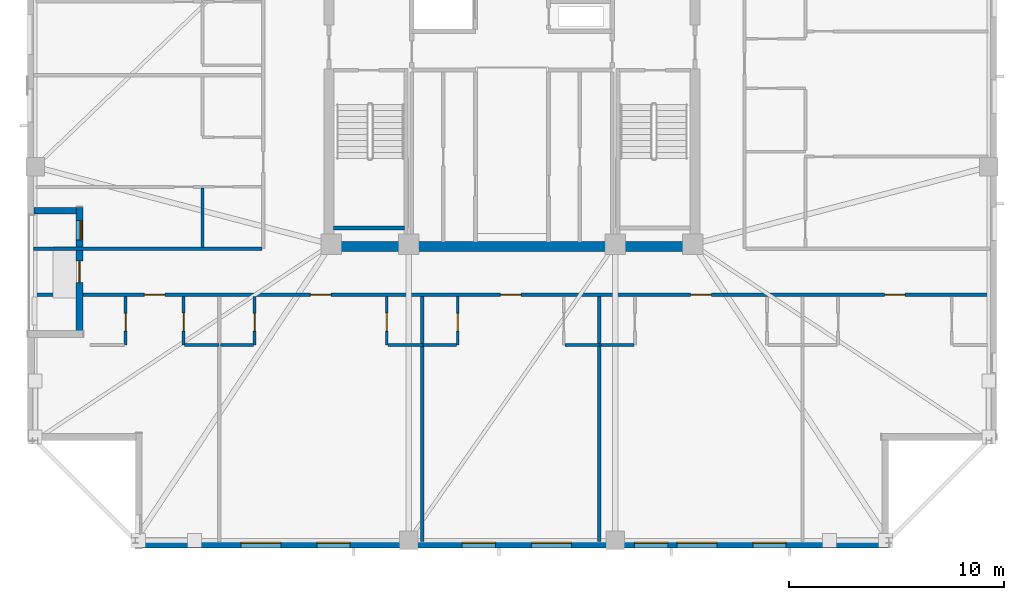
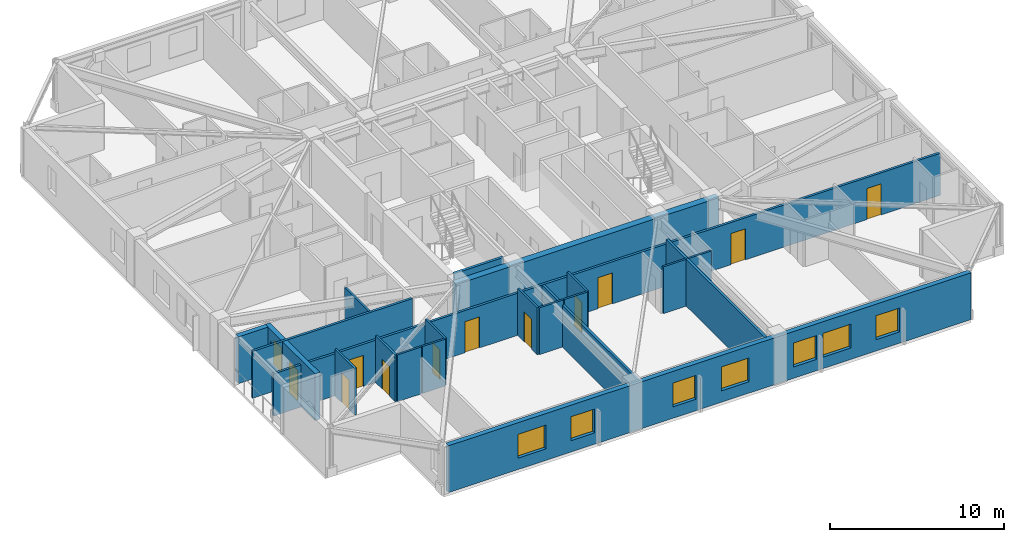
# One storey, part 7 of 17: 21 walls, 11 doors, 8 windows, 19 openings.
"""IFC4 building model written with IfcOpenShell, lengths in metres."""

import ifcopenshell
import ifcopenshell.guid

model = None  # the IFC model being written
_history = None  # IfcOwnerHistory: only IFC2X3 demands one
_inside = {}  # id of a spatial element -> (the spatial element, [elements in it])
_under = {}  # id of a project, library or spatial element -> (it, [spatial elements below it])
_declared = {}  # id of a project -> (the project, [libraries it declares])
_typed = {}  # id of a type object -> (the type object, [elements of that type])
_made_of = {}  # id of a material, layer set ... -> (it, [elements and type objects made of it])


def new_model(schema):
    """Start an empty IFC model of exactly this schema.

    Asked for "IFC4X3", IfcOpenShell would pick the latest addendum, in which some entities
    have other attributes; the version numbers below select the first issue.
    IFC2X3 requires an IfcOwnerHistory on every rooted entity: one is made here for all.
    """
    global model, _history
    if schema == "IFC4X3":
        model = ifcopenshell.file(schema_version=(4, 3, 0, 0))
    else:
        model = ifcopenshell.file(schema=schema)
    _inside.clear()
    _under.clear()
    _declared.clear()
    _typed.clear()
    _made_of.clear()
    _history = None
    if model.schema == "IFC2X3":
        org = make("IfcOrganization", Name="unknown")
        user = make(
            "IfcPersonAndOrganization",
            ThePerson=make("IfcPerson", FamilyName="unknown"),
            TheOrganization=org,
        )
        app = make(
            "IfcApplication",
            ApplicationDeveloper=org,
            Version="unknown",
            ApplicationFullName="unknown",
            ApplicationIdentifier="unknown",
        )
        _history = make(
            "IfcOwnerHistory",
            OwningUser=user,
            OwningApplication=app,
            ChangeAction="ADDED",
            CreationDate=0,
        )
    return model


def make(cls, **values):
    """One entity of the class cls with the attributes given. An attribute that is None is left unset."""
    return model.create_entity(
        cls, **{name: value for name, value in values.items() if value is not None}
    )


def rooted(cls, **values):
    """An entity with a GlobalId (a new one), such as an element, a storey or a relation."""
    return make(cls, GlobalId=ifcopenshell.guid.new(), OwnerHistory=_history, **values)


def si_unit(unit_type, name, prefix=None):
    """IfcSIUnit, for example si_unit("LENGTHUNIT", "METRE", prefix="MILLI")."""
    return make("IfcSIUnit", UnitType=unit_type, Prefix=prefix, Name=name)


def assignment(units):
    """IfcUnitAssignment: the units of a project."""
    return None if units is None else make("IfcUnitAssignment", Units=units)


def point(xyz):
    """IfcCartesianPoint."""
    return None if xyz is None else make("IfcCartesianPoint", Coordinates=xyz)


def direction(xyz):
    """IfcDirection."""
    return None if xyz is None else make("IfcDirection", DirectionRatios=xyz)


def frame(location, z_axis=None, x_axis=None):
    """IfcAxis2Placement3D, a coordinate frame: its origin and axes. An axis left out is left unset."""
    return make(
        "IfcAxis2Placement3D",
        Location=point(location),
        Axis=direction(z_axis),
        RefDirection=direction(x_axis),
    )


def frame_2d(location, x_axis=None):
    """IfcAxis2Placement2D, a coordinate frame in the plane: its origin and x axis."""
    return make(
        "IfcAxis2Placement2D", Location=point(location), RefDirection=direction(x_axis)
    )


def origin():
    """The frame at (0, 0, 0) with its axes left unset."""
    return frame((0.0, 0.0, 0.0))


def place(relative_to, where):
    """IfcLocalPlacement: puts the frame where relative to a parent placement (None: the world)."""
    return make(
        "IfcLocalPlacement", PlacementRelTo=relative_to, RelativePlacement=where
    )


def context(
    kind, dimensions, precision=None, world=None, true_north=None, identifier=None
):
    """IfcGeometricRepresentationContext, for example the 3D "Model" context."""
    return make(
        "IfcGeometricRepresentationContext",
        ContextIdentifier=identifier,
        ContextType=kind,
        CoordinateSpaceDimension=dimensions,
        Precision=precision,
        WorldCoordinateSystem=world,
        TrueNorth=true_north,
    )


def subcontext(parent, identifier, kind, view, scale=None):
    """IfcGeometricRepresentationSubContext, for example "Body" below "Model"."""
    return make(
        "IfcGeometricRepresentationSubContext",
        ContextIdentifier=identifier,
        ContextType=kind,
        ParentContext=parent,
        TargetScale=scale,
        TargetView=view,
    )


def project(units=None, contexts=None):
    """IfcProject with its units and contexts."""
    return rooted(
        "IfcProject",
        Name="project",
        RepresentationContexts=contexts,
        UnitsInContext=assignment(units),
    )


def spatial(cls, under=None, at=None, **own):
    """A site, building, storey or space (cls), placed at a placement, below another one or the project."""
    s = rooted(cls, ObjectPlacement=at, **own)
    if under is not None:
        _under.setdefault(under.id(), (under, []))[1].append(s)
    return s


def profile(cls, at=None, kind="AREA", **sizes):
    """A parametric profile (cls). Its sizes go by their IFC names, for example OverallWidth=200.0."""
    return make(cls, ProfileType=kind, Position=at, **sizes)


def rectangle(**sizes):
    """IfcRectangleProfileDef."""
    return profile("IfcRectangleProfileDef", **sizes)


def extrude(swept, where, along, depth):
    """IfcExtrudedAreaSolid: the profile swept, set in the frame where, extruded along a direction by depth."""
    return make(
        "IfcExtrudedAreaSolid",
        SweptArea=swept,
        Position=where,
        ExtrudedDirection=direction(along),
        Depth=depth,
    )


def shape(context_of_items, identifier, shape_type, items):
    """IfcShapeRepresentation: the items that make up one representation, for example the "Body"."""
    return make(
        "IfcShapeRepresentation",
        ContextOfItems=context_of_items,
        RepresentationIdentifier=identifier,
        RepresentationType=shape_type,
        Items=items,
    )


def material(Name=None, Category=None):
    """IfcMaterial."""
    return make("IfcMaterial", Name=Name, Category=Category)


def layer(
    of_material, thickness, ventilated=None, Name=None, Category=None, Priority=None
):
    """IfcMaterialLayer: one layer of a wall or slab, of a material (None: an air gap)."""
    return make(
        "IfcMaterialLayer",
        Material=of_material,
        LayerThickness=thickness,
        IsVentilated=ventilated,
        Name=Name,
        Category=Category,
        Priority=Priority,
    )


def layer_set(layers, Name=None):
    """IfcMaterialLayerSet."""
    return make("IfcMaterialLayerSet", MaterialLayers=layers, LayerSetName=Name)


def made_of(thing, what):
    """Note that an element or type object is made of a material, layer set ...; save() writes the relation."""
    if what is not None:
        _made_of.setdefault(what.id(), (what, []))[1].append(thing)
    return thing


def type_object(cls, material=None, **own):
    """A type object (cls), such as IfcWallType, which elements share."""
    return made_of(rooted(cls, **own), material)


def element(
    cls,
    number,
    at=None,
    inside=None,
    cuts=None,
    type_object=None,
    material=None,
    context=None,
    identifier="Body",
    shape_type=None,
    held_by="IfcProductDefinitionShape",
    body=None,
    shapes=None,
    **own,
):
    """One element of the class cls, such as IfcWall. Its Tag is "e" and its number.

    at: its placement. inside: the storey or other place that contains it. cuts: it is an
    opening in that element (IfcRelVoidsElement). A single representation is given by context,
    identifier, shape_type and body (its items); several are given by shapes. held_by: the class
    of the entity that holds the representations. save() writes the other relations.
    """
    e = rooted(cls, Tag="e%d" % number, ObjectPlacement=at, **own)
    if body is not None:
        shapes = [shape(context, identifier, shape_type, body)]
    if shapes is not None:
        e.Representation = make(held_by, Representations=shapes)
    if inside is not None:
        _inside.setdefault(inside.id(), (inside, []))[1].append(e)
    if cuts is not None:
        rooted(
            "IfcRelVoidsElement", RelatingBuildingElement=cuts, RelatedOpeningElement=e
        )
    if type_object is not None:
        _typed.setdefault(type_object.id(), (type_object, []))[1].append(e)
    return made_of(e, material)


def fill(opening, filler):
    """IfcRelFillsElement: the door or window that sits in an opening."""
    return rooted(
        "IfcRelFillsElement",
        RelatingOpeningElement=opening,
        RelatedBuildingElement=filler,
    )


def aggregate(whole, parts):
    """IfcRelAggregates: a whole, such as a stair, and the parts it consists of."""
    return rooted("IfcRelAggregates", RelatingObject=whole, RelatedObjects=parts)


def save(model, path):
    """Write the relations noted so far, then the file.

    IfcRelAggregates (storeys below a building ...), IfcRelContainedInSpatialStructure (elements
    in a storey), IfcRelDefinesByType, IfcRelAssociatesMaterial and IfcRelDeclares: one each for
    every whole, place, type object, material and project.
    """
    for whole, parts in _under.values():
        aggregate(whole, parts)
    for where, things in _inside.values():
        rooted(
            "IfcRelContainedInSpatialStructure",
            RelatedElements=things,
            RelatingStructure=where,
        )
    for kind, things in _typed.values():
        rooted("IfcRelDefinesByType", RelatedObjects=things, RelatingType=kind)
    for what, things in _made_of.values():
        rooted("IfcRelAssociatesMaterial", RelatedObjects=things, RelatingMaterial=what)
    for by, libraries in _declared.values():
        rooted("IfcRelDeclares", RelatingContext=by, RelatedDefinitions=libraries)
    model.write(path)


model = new_model("IFC4")

# Units and contexts
model_context = context("Model", 3, precision=1e-05, world=origin(), true_north=direction((0.0, 1.0)))
body_context = subcontext(model_context, "Body", "Model", "MODEL_VIEW")
ifc_project = project(units=[si_unit("LENGTHUNIT", "METRE"), si_unit("AREAUNIT", "SQUARE_METRE"), si_unit("VOLUMEUNIT", "CUBIC_METRE"), si_unit("PLANEANGLEUNIT", "RADIAN"), si_unit("MASSUNIT", "GRAM", prefix="KILO")], contexts=[model_context])

# Site, building, storey
site_placement = place(None, origin())
site = spatial("IfcSite", under=ifc_project, at=site_placement, CompositionType="ELEMENT")
building_placement = place(site_placement, origin())
building = spatial("IfcBuilding", under=site, at=building_placement, Name="Cairnveth Concourse Tower", CompositionType="ELEMENT")
storey_placement = place(building_placement, frame((0.0, 0.0, 248.0)))
storey = spatial("IfcBuildingStorey", under=building, at=storey_placement, Name="L68", CompositionType="ELEMENT", Elevation=248.0)

# Wall, openings, doors
ifc_material_1 = material(Name="Gypsum Plasterboard Partition", Category="gypsum")
ifc_layer_1 = layer(ifc_material_1, 0.159912109375)
ifc_layer_set_1 = layer_set([ifc_layer_1], Name="Gypsum Plasterboard Partition")
wall_type_1 = type_object("IfcWallType", Name="ACOUSTIC PARTY WALL 180", PredefinedType="PARTITIONING", material=ifc_layer_set_1)
wall_1_placement = place(storey_placement, frame((29.9150390625, 28.25244140625, 0.0), z_axis=(0.0, 0.0, 1.0), x_axis=(1.0, 0.0, 0.0)))
wall_1 = element("IfcWall", 1, at=wall_1_placement, inside=storey, type_object=wall_type_1, Name="Interior Wall IW-L68-036", PredefinedType="PARTITIONING", context=body_context, shape_type="SweptSolid", body=[
    extrude(rectangle(XDim=44.280029296875, YDim=0.159912109375, at=frame_2d((22.14013671875, 0.0))), origin(), (0.0, 0.0, 1.0), 2.9580078125),
])
opening_1_placement = place(wall_1_placement, frame((5.002197265625, 0.0, 0.0)))
opening_1 = element("IfcOpeningElement", 2, at=opening_1_placement, cuts=wall_1, Name="Opening ID10", PredefinedType="OPENING", context=body_context, shape_type="SweptSolid", body=[
    extrude(rectangle(XDim=0.9599609375, YDim=2.179931640625, at=frame_2d((0.47998046875, 1.08984375))), frame((0.0, 0.08984375, 0.0), z_axis=(0.0, -1.0, 0.0), x_axis=(1.0, 0.0, 0.0)), (0.0, 0.0, 1.0), 0.179931640625),
])
opening_2_placement = place(wall_1_placement, frame((12.718017578125, 0.0, 0.0)))
opening_2 = element("IfcOpeningElement", 3, at=opening_2_placement, cuts=wall_1, Name="Opening ID10", PredefinedType="OPENING", context=body_context, shape_type="SweptSolid", body=[
    extrude(rectangle(XDim=0.9599609375, YDim=2.179931640625, at=frame_2d((0.47998046875, 1.08984375))), frame((0.0, 0.08984375, 0.0), z_axis=(0.0, -1.0, 0.0), x_axis=(1.0, 0.0, 0.0)), (0.0, 0.0, 1.0), 0.179931640625),
])
opening_3_placement = place(wall_1_placement, frame((21.550048828125, 0.0, 0.0)))
opening_3 = element("IfcOpeningElement", 4, at=opening_3_placement, cuts=wall_1, Name="Opening ID10", PredefinedType="OPENING", context=body_context, shape_type="SweptSolid", body=[
    extrude(rectangle(XDim=0.9599609375, YDim=2.179931640625, at=frame_2d((0.47998046875, 1.08984375))), frame((0.0, 0.08984375, 0.0), z_axis=(0.0, -1.0, 0.0), x_axis=(1.0, 0.0, 0.0)), (0.0, 0.0, 1.0), 0.179931640625),
])
opening_4_placement = place(wall_1_placement, frame((30.382080078125, 0.0, 0.0)))
opening_4 = element("IfcOpeningElement", 5, at=opening_4_placement, cuts=wall_1, Name="Opening ID10", PredefinedType="OPENING", context=body_context, shape_type="SweptSolid", body=[
    extrude(rectangle(XDim=0.9599609375, YDim=2.179931640625, at=frame_2d((0.47998046875, 1.08984375))), frame((0.0, 0.08984375, 0.0), z_axis=(0.0, -1.0, 0.0), x_axis=(1.0, 0.0, 0.0)), (0.0, 0.0, 1.0), 0.179931640625),
])
opening_5_placement = place(wall_1_placement, frame((39.392822265625, 0.0, 0.0)))
opening_5 = element("IfcOpeningElement", 6, at=opening_5_placement, cuts=wall_1, Name="Opening ID10", PredefinedType="OPENING", context=body_context, shape_type="SweptSolid", body=[
    extrude(rectangle(XDim=0.9599609375, YDim=2.179931640625, at=frame_2d((0.47998046875, 1.08984375))), frame((0.0, 0.08984375, 0.0), z_axis=(0.0, -1.0, 0.0), x_axis=(1.0, 0.0, 0.0)), (0.0, 0.0, 1.0), 0.179931640625),
])
ifc_material_2 = material(Name="Solid Core Hardwood Timber Leaf", Category="wood")
door_type_1 = type_object("IfcDoorType", Name="FLAT ENTRANCE DOOR 960X2150", OperationType="NOTDEFINED", PredefinedType="DOOR", material=ifc_material_2)
door_1_placement = place(opening_1_placement, origin())
door_1 = element("IfcDoor", 7, at=door_1_placement, inside=storey, type_object=door_type_1, Name="Studio L68STS1 Entrance Door", OperationType="SINGLE_SWING_LEFT", OverallHeight=2.179931640625, OverallWidth=0.9599609375, PredefinedType="DOOR", context=body_context, shape_type="SweptSolid", body=[
    extrude(rectangle(XDim=0.9599609375, YDim=2.179931640625, at=frame_2d((0.47998046875, 1.08984375))), frame((0.0, 0.02490234375, 0.0), z_axis=(0.0, -1.0, 0.0), x_axis=(1.0, 0.0, 0.0)), (0.0, 0.0, 1.0), 0.050048828125),
])
fill(opening_1, door_1)
door_2_placement = place(opening_2_placement, origin())
door_2 = element("IfcDoor", 8, at=door_2_placement, inside=storey, type_object=door_type_1, Name="Studio L68STS2 Entrance Door", OperationType="SINGLE_SWING_RIGHT", OverallHeight=2.179931640625, OverallWidth=0.9599609375, PredefinedType="DOOR", context=body_context, shape_type="SweptSolid", body=[
    extrude(rectangle(XDim=0.9599609375, YDim=2.179931640625, at=frame_2d((0.47998046875, 1.08984375))), frame((0.0, 0.02490234375, 0.0), z_axis=(0.0, -1.0, 0.0), x_axis=(1.0, 0.0, 0.0)), (0.0, 0.0, 1.0), 0.050048828125),
])
fill(opening_2, door_2)
door_3_placement = place(opening_3_placement, origin())
door_3 = element("IfcDoor", 9, at=door_3_placement, inside=storey, type_object=door_type_1, Name="Studio L68STS3 Entrance Door", OperationType="SINGLE_SWING_LEFT", OverallHeight=2.179931640625, OverallWidth=0.9599609375, PredefinedType="DOOR", context=body_context, shape_type="SweptSolid", body=[
    extrude(rectangle(XDim=0.9599609375, YDim=2.179931640625, at=frame_2d((0.47998046875, 1.08984375))), frame((0.0, 0.02490234375, 0.0), z_axis=(0.0, -1.0, 0.0), x_axis=(1.0, 0.0, 0.0)), (0.0, 0.0, 1.0), 0.050048828125),
])
fill(opening_3, door_3)
door_4_placement = place(opening_4_placement, origin())
door_4 = element("IfcDoor", 10, at=door_4_placement, inside=storey, type_object=door_type_1, Name="Studio L68STS4 Entrance Door", OperationType="SINGLE_SWING_RIGHT", OverallHeight=2.179931640625, OverallWidth=0.9599609375, PredefinedType="DOOR", context=body_context, shape_type="SweptSolid", body=[
    extrude(rectangle(XDim=0.9599609375, YDim=2.179931640625, at=frame_2d((0.47998046875, 1.08984375))), frame((0.0, 0.02490234375, 0.0), z_axis=(0.0, -1.0, 0.0), x_axis=(1.0, 0.0, 0.0)), (0.0, 0.0, 1.0), 0.050048828125),
])
fill(opening_4, door_4)
door_5_placement = place(opening_5_placement, origin())
door_5 = element("IfcDoor", 11, at=door_5_placement, inside=storey, type_object=door_type_1, Name="Studio L68STS5 Entrance Door", OperationType="SINGLE_SWING_LEFT", OverallHeight=2.179931640625, OverallWidth=0.9599609375, PredefinedType="DOOR", context=body_context, shape_type="SweptSolid", body=[
    extrude(rectangle(XDim=0.9599609375, YDim=2.179931640625, at=frame_2d((0.47998046875, 1.08984375))), frame((0.0, 0.02490234375, 0.0), z_axis=(0.0, -1.0, 0.0), x_axis=(1.0, 0.0, 0.0)), (0.0, 0.0, 1.0), 0.050048828125),
])
fill(opening_5, door_5)

# Walls
wall_2_placement = place(storey_placement, frame((29.77001953125, 30.39990234375, 0.0), z_axis=(0.0, 0.0, 1.0), x_axis=(1.0, 0.0, 0.0)))
element("IfcWall", 12, at=wall_2_placement, inside=storey, type_object=wall_type_1, Name="Interior Wall IW-L68-040", PredefinedType="PARTITIONING", context=body_context, shape_type="SweptSolid", body=[
    extrude(rectangle(XDim=10.614990234375, YDim=0.159912109375, at=frame_2d((5.3076171875, 0.0))), origin(), (0.0, 0.0, 1.0), 3.2900390625),
])
wall_3_placement = place(storey_placement, frame((47.83154296875, 16.804931640625, 0.0), z_axis=(0.0, 0.0, 1.0), x_axis=(0.0, 1.0, 0.0)))
element("IfcWall", 13, at=wall_3_placement, inside=storey, type_object=wall_type_1, Name="Interior Wall IW-L68-053", PredefinedType="PARTITIONING", context=body_context, shape_type="SweptSolid", body=[
    extrude(rectangle(XDim=11.36767578125, YDim=0.159912109375, at=frame_2d((5.683837890625, 0.0))), origin(), (0.0, 0.0, 1.0), 2.9580078125),
])
wall_4_placement = place(storey_placement, frame((56.05859375, 16.804931640625, 0.0), z_axis=(0.0, 0.0, 1.0), x_axis=(0.0, 1.0, 0.0)))
element("IfcWall", 14, at=wall_4_placement, inside=storey, type_object=wall_type_1, Name="Interior Wall IW-L68-058", PredefinedType="PARTITIONING", context=body_context, shape_type="SweptSolid", body=[
    extrude(rectangle(XDim=11.36767578125, YDim=0.159912109375, at=frame_2d((5.683837890625, 0.0))), origin(), (0.0, 0.0, 1.0), 3.2900390625),
])
ifc_material_3 = material(Name="Concrete N65 (65 MPa)", Category="concrete")
ifc_layer_2 = layer(ifc_material_3, 0.449951171875)
ifc_layer_set_2 = layer_set([ifc_layer_2], Name="Concrete N65 (65 MPa)")
wall_type_2 = type_object("IfcWallType", Name="CORE SHEAR WALL 450", PredefinedType="SHEAR", material=ifc_layer_set_2)
wall_5_placement = place(storey_placement, frame((43.27490234375, 30.5, 0.0), z_axis=(0.0, 0.0, 1.0), x_axis=(1.0, 0.0, 0.0)))
element("IfcWall", 15, at=wall_5_placement, inside=storey, type_object=wall_type_2, Name="Core South Shear Wall L68", PredefinedType="SHEAR", context=body_context, shape_type="SweptSolid", body=[
    extrude(rectangle(XDim=17.4501953125, YDim=0.449951171875, at=frame_2d((8.72509765625, 0.0))), origin(), (0.0, 0.0, 1.0), 3.2900390625),
])
ifc_material_4 = material(Name="Concrete N50 (50 MPa)", Category="concrete")
ifc_layer_3 = layer(ifc_material_4, 0.179931640625)
ifc_layer_set_3 = layer_set([ifc_layer_3], Name="Concrete N50 (50 MPa)")
wall_type_3 = type_object("IfcWallType", Name="FIRE SHAFT WALL 180", PredefinedType="SOLIDWALL", material=ifc_layer_set_3)
wall_6_placement = place(storey_placement, frame((43.715087890625, 31.360107421875, 0.0), z_axis=(0.0, 0.0, 1.0), x_axis=(1.0, 0.0, 0.0)))
element("IfcWall", 16, at=wall_6_placement, inside=storey, type_object=wall_type_3, Name="Stair ST-1 Shaft Wall FAR L68", PredefinedType="SOLIDWALL", context=body_context, shape_type="SweptSolid", body=[
    extrude(rectangle(XDim=3.280029296875, YDim=0.179931640625, at=frame_2d((1.64013671875, 0.0))), origin(), (0.0, 0.0, 1.0), 3.2900390625),
])

# Wall, opening, door
ifc_layer_4 = layer(ifc_material_1, 0.1298828125)
ifc_layer_set_4 = layer_set([ifc_layer_4], Name="Gypsum Plasterboard Partition")
wall_type_4 = type_object("IfcWallType", Name="WET AREA PARTITION 140", PredefinedType="PLUMBINGWALL", material=ifc_layer_set_4)
wall_7_placement = place(storey_placement, frame((34.050048828125, 25.922607421875, 0.0), z_axis=(0.0, 0.0, 1.0), x_axis=(0.0, 1.0, 0.0)))
wall_7 = element("IfcWall", 17, at=wall_7_placement, inside=storey, type_object=wall_type_4, Name="Interior Wall IW-L68-044", PredefinedType="PLUMBINGWALL", context=body_context, shape_type="SweptSolid", body=[
    extrude(rectangle(XDim=2.25, YDim=0.1298828125, at=frame_2d((1.125, 0.0))), origin(), (0.0, 0.0, 1.0), 3.2900390625),
])
opening_6_placement = place(wall_7_placement, frame((0.64990234375, 0.0, 0.0)))
opening_6 = element("IfcOpeningElement", 18, at=opening_6_placement, cuts=wall_7, Name="Opening ID22", PredefinedType="OPENING", context=body_context, shape_type="SweptSolid", body=[
    extrude(rectangle(XDim=0.820068359375, YDim=2.10009765625, at=frame_2d((0.41015625, 1.050048828125))), frame((0.0, 0.074951171875, 0.0), z_axis=(0.0, -1.0, 0.0), x_axis=(1.0, 0.0, 0.0)), (0.0, 0.0, 1.0), 0.14990234375),
])
door_type_2 = type_object("IfcDoorType", Name="INTERIOR WC DOOR 820X2100", OperationType="NOTDEFINED", PredefinedType="DOOR", material=ifc_material_2)
door_6_placement = place(opening_6_placement, origin())
door_6 = element("IfcDoor", 19, at=door_6_placement, inside=storey, type_object=door_type_2, Name="L68STS1 Bathroom Door", OperationType="SINGLE_SWING_LEFT", OverallHeight=2.10009765625, OverallWidth=0.820068359375, PredefinedType="DOOR", context=body_context, shape_type="SweptSolid", body=[
    extrude(rectangle(XDim=0.820068359375, YDim=2.10009765625, at=frame_2d((0.41015625, 1.050048828125))), frame((0.0, 0.02490234375, 0.0), z_axis=(0.0, -1.0, 0.0), x_axis=(1.0, 0.0, 0.0)), (0.0, 0.0, 1.0), 0.050048828125),
])
fill(opening_6, door_6)

wall_8_placement = place(storey_placement, frame((36.744384765625, 25.922607421875, 0.0), z_axis=(0.0, 0.0, 1.0), x_axis=(0.0, 1.0, 0.0)))
wall_8 = element("IfcWall", 20, at=wall_8_placement, inside=storey, type_object=wall_type_4, Name="Interior Wall IW-L68-046", PredefinedType="PLUMBINGWALL", context=body_context, shape_type="SweptSolid", body=[
    extrude(rectangle(XDim=2.25, YDim=0.1298828125, at=frame_2d((1.125, 0.0))), origin(), (0.0, 0.0, 1.0), 3.2900390625),
])
opening_7_placement = place(wall_8_placement, frame((0.64990234375, 0.0, 0.0)))
opening_7 = element("IfcOpeningElement", 21, at=opening_7_placement, cuts=wall_8, Name="Opening ID20", PredefinedType="OPENING", context=body_context, shape_type="SweptSolid", body=[
    extrude(rectangle(XDim=0.85009765625, YDim=2.10009765625, at=frame_2d((0.425048828125, 1.050048828125))), frame((0.0, 0.074951171875, 0.0), z_axis=(0.0, -1.0, 0.0), x_axis=(1.0, 0.0, 0.0)), (0.0, 0.0, 1.0), 0.14990234375),
])
door_type_3 = type_object("IfcDoorType", Name="INTERIOR SINGLE DOOR 850X2100", OperationType="NOTDEFINED", PredefinedType="DOOR", material=ifc_material_2)
door_7_placement = place(opening_7_placement, origin())
door_7 = element("IfcDoor", 22, at=door_7_placement, inside=storey, type_object=door_type_3, Name="L68STS1 Kitchen Door", OperationType="SINGLE_SWING_RIGHT", OverallHeight=2.10009765625, OverallWidth=0.85009765625, PredefinedType="DOOR", context=body_context, shape_type="SweptSolid", body=[
    extrude(rectangle(XDim=0.85009765625, YDim=2.10009765625, at=frame_2d((0.425048828125, 1.050048828125))), frame((0.0, 0.02490234375, 0.0), z_axis=(0.0, -1.0, 0.0), x_axis=(1.0, 0.0, 0.0)), (0.0, 0.0, 1.0), 0.050048828125),
])
fill(opening_7, door_7)

# Wall
wall_9_placement = place(storey_placement, frame((36.79443359375, 25.922607421875, 0.0), z_axis=(0.0, 0.0, 1.0), x_axis=(1.0, 0.0, 0.0)))
element("IfcWall", 23, at=wall_9_placement, inside=storey, type_object=wall_type_4, Name="Interior Wall IW-L68-047", PredefinedType="PLUMBINGWALL", context=body_context, shape_type="SweptSolid", body=[
    extrude(rectangle(XDim=1.60009765625, YDim=0.1298828125, at=frame_2d((0.800048828125, 0.0))), origin(), (0.0, 0.0, 1.0), 3.2900390625),
])

# Wall, opening, door
wall_10_placement = place(storey_placement, frame((40.04443359375, 25.922607421875, 0.0), z_axis=(0.0, 0.0, 1.0), x_axis=(0.0, 1.0, 0.0)))
wall_10 = element("IfcWall", 24, at=wall_10_placement, inside=storey, type_object=wall_type_4, Name="Interior Wall IW-L68-049", PredefinedType="PLUMBINGWALL", context=body_context, shape_type="SweptSolid", body=[
    extrude(rectangle(XDim=2.25, YDim=0.1298828125, at=frame_2d((1.125, 0.0))), origin(), (0.0, 0.0, 1.0), 3.2900390625),
])
opening_8_placement = place(wall_10_placement, frame((0.64990234375, 0.0, 0.0)))
opening_8 = element("IfcOpeningElement", 25, at=opening_8_placement, cuts=wall_10, Name="Opening ID22", PredefinedType="OPENING", context=body_context, shape_type="SweptSolid", body=[
    extrude(rectangle(XDim=0.820068359375, YDim=2.10009765625, at=frame_2d((0.41015625, 1.050048828125))), frame((0.0, 0.074951171875, 0.0), z_axis=(0.0, -1.0, 0.0), x_axis=(1.0, 0.0, 0.0)), (0.0, 0.0, 1.0), 0.14990234375),
])
door_8_placement = place(opening_8_placement, origin())
door_8 = element("IfcDoor", 26, at=door_8_placement, inside=storey, type_object=door_type_2, Name="L68STS2 Bathroom Door", OperationType="SINGLE_SWING_RIGHT", OverallHeight=2.10009765625, OverallWidth=0.820068359375, PredefinedType="DOOR", context=body_context, shape_type="SweptSolid", body=[
    extrude(rectangle(XDim=0.820068359375, YDim=2.10009765625, at=frame_2d((0.41015625, 1.050048828125))), frame((0.0, 0.02490234375, 0.0), z_axis=(0.0, -1.0, 0.0), x_axis=(1.0, 0.0, 0.0)), (0.0, 0.0, 1.0), 0.050048828125),
])
fill(opening_8, door_8)

# Wall
wall_11_placement = place(storey_placement, frame((38.45947265625, 25.922607421875, 0.0), z_axis=(0.0, 0.0, 1.0), x_axis=(1.0, 0.0, 0.0)))
element("IfcWall", 27, at=wall_11_placement, inside=storey, type_object=wall_type_4, Name="Interior Wall IW-L68-050", PredefinedType="PLUMBINGWALL", context=body_context, shape_type="SweptSolid", body=[
    extrude(rectangle(XDim=1.534912109375, YDim=0.1298828125, at=frame_2d((0.767578125, 0.0))), origin(), (0.0, 0.0, 1.0), 3.2900390625),
])

# Wall, opening, door
wall_12_placement = place(storey_placement, frame((46.181396484375, 25.922607421875, 0.0), z_axis=(0.0, 0.0, 1.0), x_axis=(0.0, 1.0, 0.0)))
wall_12 = element("IfcWall", 28, at=wall_12_placement, inside=storey, type_object=wall_type_4, Name="Interior Wall IW-L68-051", PredefinedType="PLUMBINGWALL", context=body_context, shape_type="SweptSolid", body=[
    extrude(rectangle(XDim=2.25, YDim=0.1298828125, at=frame_2d((1.125, 0.0))), origin(), (0.0, 0.0, 1.0), 3.2900390625),
])
opening_9_placement = place(wall_12_placement, frame((0.64990234375, 0.0, 0.0)))
opening_9 = element("IfcOpeningElement", 29, at=opening_9_placement, cuts=wall_12, Name="Opening ID20", PredefinedType="OPENING", context=body_context, shape_type="SweptSolid", body=[
    extrude(rectangle(XDim=0.85009765625, YDim=2.10009765625, at=frame_2d((0.425048828125, 1.050048828125))), frame((0.0, 0.074951171875, 0.0), z_axis=(0.0, -1.0, 0.0), x_axis=(1.0, 0.0, 0.0)), (0.0, 0.0, 1.0), 0.14990234375),
])
door_9_placement = place(opening_9_placement, origin())
door_9 = element("IfcDoor", 30, at=door_9_placement, inside=storey, type_object=door_type_3, Name="L68STS2 Kitchen Door", OperationType="SINGLE_SWING_LEFT", OverallHeight=2.10009765625, OverallWidth=0.85009765625, PredefinedType="DOOR", context=body_context, shape_type="SweptSolid", body=[
    extrude(rectangle(XDim=0.85009765625, YDim=2.10009765625, at=frame_2d((0.425048828125, 1.050048828125))), frame((0.0, 0.02490234375, 0.0), z_axis=(0.0, -1.0, 0.0), x_axis=(1.0, 0.0, 0.0)), (0.0, 0.0, 1.0), 0.050048828125),
])
fill(opening_9, door_9)

# Wall
wall_13_placement = place(storey_placement, frame((46.2314453125, 25.922607421875, 0.0), z_axis=(0.0, 0.0, 1.0), x_axis=(1.0, 0.0, 0.0)))
element("IfcWall", 31, at=wall_13_placement, inside=storey, type_object=wall_type_4, Name="Interior Wall IW-L68-052", PredefinedType="PLUMBINGWALL", context=body_context, shape_type="SweptSolid", body=[
    extrude(rectangle(XDim=1.60009765625, YDim=0.1298828125, at=frame_2d((0.800048828125, 0.0))), origin(), (0.0, 0.0, 1.0), 3.2900390625),
])

# Wall, opening, door
wall_14_placement = place(storey_placement, frame((49.4814453125, 25.922607421875, 0.0), z_axis=(0.0, 0.0, 1.0), x_axis=(0.0, 1.0, 0.0)))
wall_14 = element("IfcWall", 32, at=wall_14_placement, inside=storey, type_object=wall_type_4, Name="Interior Wall IW-L68-054", PredefinedType="PLUMBINGWALL", context=body_context, shape_type="SweptSolid", body=[
    extrude(rectangle(XDim=2.25, YDim=0.1298828125, at=frame_2d((1.125, 0.0))), origin(), (0.0, 0.0, 1.0), 3.2900390625),
])
opening_10_placement = place(wall_14_placement, frame((0.64990234375, 0.0, 0.0)))
opening_10 = element("IfcOpeningElement", 33, at=opening_10_placement, cuts=wall_14, Name="Opening ID22", PredefinedType="OPENING", context=body_context, shape_type="SweptSolid", body=[
    extrude(rectangle(XDim=0.820068359375, YDim=2.10009765625, at=frame_2d((0.41015625, 1.050048828125))), frame((0.0, 0.074951171875, 0.0), z_axis=(0.0, -1.0, 0.0), x_axis=(1.0, 0.0, 0.0)), (0.0, 0.0, 1.0), 0.14990234375),
])
door_10_placement = place(opening_10_placement, origin())
door_10 = element("IfcDoor", 34, at=door_10_placement, inside=storey, type_object=door_type_2, Name="L68STS3 Bathroom Door", OperationType="SINGLE_SWING_LEFT", OverallHeight=2.10009765625, OverallWidth=0.820068359375, PredefinedType="DOOR", context=body_context, shape_type="SweptSolid", body=[
    extrude(rectangle(XDim=0.820068359375, YDim=2.10009765625, at=frame_2d((0.41015625, 1.050048828125))), frame((0.0, 0.02490234375, 0.0), z_axis=(0.0, -1.0, 0.0), x_axis=(1.0, 0.0, 0.0)), (0.0, 0.0, 1.0), 0.050048828125),
])
fill(opening_10, door_10)

# Walls
wall_15_placement = place(storey_placement, frame((47.896484375, 25.922607421875, 0.0), z_axis=(0.0, 0.0, 1.0), x_axis=(1.0, 0.0, 0.0)))
element("IfcWall", 35, at=wall_15_placement, inside=storey, type_object=wall_type_4, Name="Interior Wall IW-L68-055", PredefinedType="PLUMBINGWALL", context=body_context, shape_type="SweptSolid", body=[
    extrude(rectangle(XDim=1.534912109375, YDim=0.1298828125, at=frame_2d((0.767578125, 0.0))), origin(), (0.0, 0.0, 1.0), 3.2900390625),
])
wall_16_placement = place(storey_placement, frame((54.45849609375, 25.922607421875, 0.0), z_axis=(0.0, 0.0, 1.0), x_axis=(1.0, 0.0, 0.0)))
element("IfcWall", 36, at=wall_16_placement, inside=storey, type_object=wall_type_4, Name="Interior Wall IW-L68-057", PredefinedType="PLUMBINGWALL", context=body_context, shape_type="SweptSolid", body=[
    extrude(rectangle(XDim=1.60009765625, YDim=0.1298828125, at=frame_2d((0.800048828125, 0.0))), origin(), (0.0, 0.0, 1.0), 3.2900390625),
])
wall_17_placement = place(storey_placement, frame((56.12353515625, 25.922607421875, 0.0), z_axis=(0.0, 0.0, 1.0), x_axis=(1.0, 0.0, 0.0)))
element("IfcWall", 37, at=wall_17_placement, inside=storey, type_object=wall_type_4, Name="Interior Wall IW-L68-060", PredefinedType="PLUMBINGWALL", context=body_context, shape_type="SweptSolid", body=[
    extrude(rectangle(XDim=1.534912109375, YDim=0.1298828125, at=frame_2d((0.767578125, 0.0))), origin(), (0.0, 0.0, 1.0), 3.2900390625),
])
wall_18_placement = place(storey_placement, frame((37.6201171875, 30.465087890625, 0.0), z_axis=(0.0, 0.0, 1.0), x_axis=(0.0, 1.0, 0.0)))
element("IfcWall", 38, at=wall_18_placement, inside=storey, type_object=wall_type_4, Name="Interior Wall IW-L68-099", PredefinedType="PLUMBINGWALL", context=body_context, shape_type="SweptSolid", body=[
    extrude(rectangle(XDim=2.760009765625, YDim=0.1298828125, at=frame_2d((1.3798828125, 0.0))), origin(), (0.0, 0.0, 1.0), 3.2900390625),
])

# Wall, openings, windows
ifc_material_5 = material(Name="Melbourne Buff Fired Clay Brick Masonry", Category="masonry")
ifc_layer_5 = layer(ifc_material_5, 0.320068359375)
ifc_layer_set_5 = layer_set([ifc_layer_5], Name="Melbourne Buff Fired Clay Brick Masonry")
wall_type_5 = type_object("IfcWallType", Name="ZONE 3 BRICK PIER SPANDREL WALL 320", PredefinedType="SOLIDWALL", material=ifc_layer_set_5)
wall_19_placement = place(storey_placement, frame((69.5, 16.659912109375, 0.0), z_axis=(0.0, 0.0, 1.0), x_axis=(-1.0, 0.0, 0.0)))
wall_19 = element("IfcWall", 39, at=wall_19_placement, inside=storey, type_object=wall_type_5, Name="Exterior Wall EW-L68-S09", PredefinedType="SOLIDWALL", context=body_context, shape_type="SweptSolid", body=[
    extrude(rectangle(XDim=34.701904296875, YDim=0.320068359375, at=frame_2d((17.35107421875, 0.0))), origin(), (0.0, 0.0, 1.0), 3.2900390625),
])
opening_11_placement = place(wall_19_placement, frame((4.7626953125, 0.0, 0.800048828125)))
opening_11 = element("IfcOpeningElement", 40, at=opening_11_placement, cuts=wall_19, Name="Opening W07", PredefinedType="OPENING", context=body_context, shape_type="SweptSolid", body=[
    extrude(rectangle(XDim=1.550048828125, YDim=1.677978515625, at=frame_2d((0.77490234375, 0.8388671875))), frame((0.0, 0.169921875, 0.0), z_axis=(0.0, -1.0, 0.0), x_axis=(1.0, 0.0, 0.0)), (0.0, 0.0, 1.0), 0.340087890625),
])
opening_12_placement = place(wall_19_placement, frame((7.98779296875, 0.0, 0.800048828125)))
opening_12 = element("IfcOpeningElement", 41, at=opening_12_placement, cuts=wall_19, Name="Opening W08", PredefinedType="OPENING", context=body_context, shape_type="SweptSolid", body=[
    extrude(rectangle(XDim=1.85009765625, YDim=1.677978515625, at=frame_2d((0.925048828125, 0.8388671875))), frame((0.0, 0.169921875, 0.0), z_axis=(0.0, -1.0, 0.0), x_axis=(1.0, 0.0, 0.0)), (0.0, 0.0, 1.0), 0.340087890625),
])
opening_13_placement = place(wall_19_placement, frame((10.26318359375, 0.0, 0.800048828125)))
opening_13 = element("IfcOpeningElement", 42, at=opening_13_placement, cuts=wall_19, Name="Opening W07", PredefinedType="OPENING", context=body_context, shape_type="SweptSolid", body=[
    extrude(rectangle(XDim=1.550048828125, YDim=1.677978515625, at=frame_2d((0.77490234375, 0.8388671875))), frame((0.0, 0.169921875, 0.0), z_axis=(0.0, -1.0, 0.0), x_axis=(1.0, 0.0, 0.0)), (0.0, 0.0, 1.0), 0.340087890625),
])
opening_14_placement = place(wall_19_placement, frame((14.73828125, 0.0, 0.800048828125)))
opening_14 = element("IfcOpeningElement", 43, at=opening_14_placement, cuts=wall_19, Name="Opening W08", PredefinedType="OPENING", context=body_context, shape_type="SweptSolid", body=[
    extrude(rectangle(XDim=1.85009765625, YDim=1.677978515625, at=frame_2d((0.925048828125, 0.8388671875))), frame((0.0, 0.169921875, 0.0), z_axis=(0.0, -1.0, 0.0), x_axis=(1.0, 0.0, 0.0)), (0.0, 0.0, 1.0), 0.340087890625),
])
opening_15_placement = place(wall_19_placement, frame((18.263671875, 0.0, 0.800048828125)))
opening_15 = element("IfcOpeningElement", 44, at=opening_15_placement, cuts=wall_19, Name="Opening W07", PredefinedType="OPENING", context=body_context, shape_type="SweptSolid", body=[
    extrude(rectangle(XDim=1.550048828125, YDim=1.677978515625, at=frame_2d((0.77490234375, 0.8388671875))), frame((0.0, 0.169921875, 0.0), z_axis=(0.0, -1.0, 0.0), x_axis=(1.0, 0.0, 0.0)), (0.0, 0.0, 1.0), 0.340087890625),
])
opening_16_placement = place(wall_19_placement, frame((25.01416015625, 0.0, 0.800048828125)))
opening_16 = element("IfcOpeningElement", 45, at=opening_16_placement, cuts=wall_19, Name="Opening W07", PredefinedType="OPENING", context=body_context, shape_type="SweptSolid", body=[
    extrude(rectangle(XDim=1.550048828125, YDim=1.677978515625, at=frame_2d((0.77490234375, 0.8388671875))), frame((0.0, 0.169921875, 0.0), z_axis=(0.0, -1.0, 0.0), x_axis=(1.0, 0.0, 0.0)), (0.0, 0.0, 1.0), 0.340087890625),
])
opening_17_placement = place(wall_19_placement, frame((28.239501953125, 0.0, 0.800048828125)))
opening_17 = element("IfcOpeningElement", 46, at=opening_17_placement, cuts=wall_19, Name="Opening W08", PredefinedType="OPENING", context=body_context, shape_type="SweptSolid", body=[
    extrude(rectangle(XDim=1.85009765625, YDim=1.677978515625, at=frame_2d((0.925048828125, 0.8388671875))), frame((0.0, 0.169921875, 0.0), z_axis=(0.0, -1.0, 0.0), x_axis=(1.0, 0.0, 0.0)), (0.0, 0.0, 1.0), 0.340087890625),
])
ifc_material_6 = material(Name="Double Glazed Low-E Clear Glass", Category="glass")
window_type_1 = type_object("IfcWindowType", Name="DEEP-SET APARTMENT LIVING WINDOW 1850X1850", PartitioningType="DOUBLE_PANEL_VERTICAL", PredefinedType="WINDOW", material=ifc_material_6)
window_1_placement = place(opening_12_placement, origin())
window_1 = element("IfcWindow", 47, at=window_1_placement, inside=storey, type_object=window_type_1, Name="Gothic Lancet Window L68-9-2", OverallHeight=1.677978515625, OverallWidth=1.85009765625, PartitioningType="SINGLE_PANEL", PredefinedType="WINDOW", context=body_context, shape_type="SweptSolid", body=[
    extrude(rectangle(XDim=1.85009765625, YDim=1.677978515625, at=frame_2d((0.925048828125, 0.8388671875))), frame((0.0, -0.050048828125, 0.0), z_axis=(0.0, -1.0, 0.0), x_axis=(1.0, 0.0, 0.0)), (0.0, 0.0, 1.0), 0.06005859375),
])
fill(opening_12, window_1)
window_2_placement = place(opening_14_placement, origin())
window_2 = element("IfcWindow", 48, at=window_2_placement, inside=storey, type_object=window_type_1, Name="Gothic Lancet Window L68-9-4", OverallHeight=1.677978515625, OverallWidth=1.85009765625, PartitioningType="SINGLE_PANEL", PredefinedType="WINDOW", context=body_context, shape_type="SweptSolid", body=[
    extrude(rectangle(XDim=1.85009765625, YDim=1.677978515625, at=frame_2d((0.925048828125, 0.8388671875))), frame((0.0, -0.050048828125, 0.0), z_axis=(0.0, -1.0, 0.0), x_axis=(1.0, 0.0, 0.0)), (0.0, 0.0, 1.0), 0.06005859375),
])
fill(opening_14, window_2)
window_3_placement = place(opening_17_placement, origin())
window_3 = element("IfcWindow", 49, at=window_3_placement, inside=storey, type_object=window_type_1, Name="Gothic Lancet Window L68-9-8", OverallHeight=1.677978515625, OverallWidth=1.85009765625, PartitioningType="SINGLE_PANEL", PredefinedType="WINDOW", context=body_context, shape_type="SweptSolid", body=[
    extrude(rectangle(XDim=1.85009765625, YDim=1.677978515625, at=frame_2d((0.925048828125, 0.8388671875))), frame((0.0, -0.050048828125, 0.0), z_axis=(0.0, -1.0, 0.0), x_axis=(1.0, 0.0, 0.0)), (0.0, 0.0, 1.0), 0.06005859375),
])
fill(opening_17, window_3)
window_type_2 = type_object("IfcWindowType", Name="DEEP-SET APARTMENT WINDOW 1550X1800", PartitioningType="DOUBLE_PANEL_VERTICAL", PredefinedType="WINDOW", material=ifc_material_6)
window_4_placement = place(opening_11_placement, origin())
window_4 = element("IfcWindow", 50, at=window_4_placement, inside=storey, type_object=window_type_2, Name="Gothic Lancet Window L68-9-1", OverallHeight=1.677978515625, OverallWidth=1.550048828125, PartitioningType="SINGLE_PANEL", PredefinedType="WINDOW", context=body_context, shape_type="SweptSolid", body=[
    extrude(rectangle(XDim=1.550048828125, YDim=1.677978515625, at=frame_2d((0.77490234375, 0.8388671875))), frame((0.0, -0.050048828125, 0.0), z_axis=(0.0, -1.0, 0.0), x_axis=(1.0, 0.0, 0.0)), (0.0, 0.0, 1.0), 0.06005859375),
])
fill(opening_11, window_4)
window_5_placement = place(opening_13_placement, origin())
window_5 = element("IfcWindow", 51, at=window_5_placement, inside=storey, type_object=window_type_2, Name="Gothic Lancet Window L68-9-3", OverallHeight=1.677978515625, OverallWidth=1.550048828125, PartitioningType="SINGLE_PANEL", PredefinedType="WINDOW", context=body_context, shape_type="SweptSolid", body=[
    extrude(rectangle(XDim=1.550048828125, YDim=1.677978515625, at=frame_2d((0.77490234375, 0.8388671875))), frame((0.0, -0.050048828125, 0.0), z_axis=(0.0, -1.0, 0.0), x_axis=(1.0, 0.0, 0.0)), (0.0, 0.0, 1.0), 0.06005859375),
])
fill(opening_13, window_5)
window_6_placement = place(opening_15_placement, origin())
window_6 = element("IfcWindow", 52, at=window_6_placement, inside=storey, type_object=window_type_2, Name="Gothic Lancet Window L68-9-5", OverallHeight=1.677978515625, OverallWidth=1.550048828125, PartitioningType="SINGLE_PANEL", PredefinedType="WINDOW", context=body_context, shape_type="SweptSolid", body=[
    extrude(rectangle(XDim=1.550048828125, YDim=1.677978515625, at=frame_2d((0.77490234375, 0.8388671875))), frame((0.0, -0.050048828125, 0.0), z_axis=(0.0, -1.0, 0.0), x_axis=(1.0, 0.0, 0.0)), (0.0, 0.0, 1.0), 0.06005859375),
])
fill(opening_15, window_6)
window_7_placement = place(opening_16_placement, origin())
window_7 = element("IfcWindow", 53, at=window_7_placement, inside=storey, type_object=window_type_2, Name="Gothic Lancet Window L68-9-7", OverallHeight=1.677978515625, OverallWidth=1.550048828125, PartitioningType="SINGLE_PANEL", PredefinedType="WINDOW", context=body_context, shape_type="SweptSolid", body=[
    extrude(rectangle(XDim=1.550048828125, YDim=1.677978515625, at=frame_2d((0.77490234375, 0.8388671875))), frame((0.0, -0.050048828125, 0.0), z_axis=(0.0, -1.0, 0.0), x_axis=(1.0, 0.0, 0.0)), (0.0, 0.0, 1.0), 0.06005859375),
])
fill(opening_16, window_7)

# Wall, openings, window, door
wall_20_placement = place(storey_placement, frame((31.909912109375, 26.577880859375, 0.0), z_axis=(0.0, 0.0, 1.0), x_axis=(0.0, 1.0, 0.0)))
wall_20 = element("IfcWall", 54, at=wall_20_placement, inside=storey, type_object=wall_type_5, Name="Exterior Wall EW-L68-S14", PredefinedType="SOLIDWALL", context=body_context, shape_type="SweptSolid", body=[
    extrude(rectangle(XDim=5.7421875, YDim=0.320068359375, at=frame_2d((2.87109375, 0.0))), origin(), (0.0, 0.0, 1.0), 3.2900390625),
])
opening_18_placement = place(wall_20_placement, frame((2.248291015625, 0.0, 0.0)))
opening_18 = element("IfcOpeningElement", 55, at=opening_18_placement, cuts=wall_20, Name="Opening ED4", PredefinedType="OPENING", context=body_context, shape_type="SweptSolid", body=[
    extrude(rectangle(XDim=1.0, YDim=2.14990234375, at=frame_2d((0.5, 1.074951171875))), frame((0.0, 0.169921875, 0.0), z_axis=(0.0, -1.0, 0.0), x_axis=(1.0, 0.0, 0.0)), (0.0, 0.0, 1.0), 0.340087890625),
])
opening_19_placement = place(wall_20_placement, frame((4.22998046875, 0.0, 0.800048828125)))
opening_19 = element("IfcOpeningElement", 56, at=opening_19_placement, cuts=wall_20, Name="Opening W13", PredefinedType="OPENING", context=body_context, shape_type="SweptSolid", body=[
    extrude(rectangle(XDim=0.89990234375, YDim=1.677978515625, at=frame_2d((0.449951171875, 0.8388671875))), frame((0.0, 0.169921875, 0.0), z_axis=(0.0, -1.0, 0.0), x_axis=(1.0, 0.0, 0.0)), (0.0, 0.0, 1.0), 0.340087890625),
])
window_type_3 = type_object("IfcWindowType", Name="DEEP-SET BEDROOM LANCET WINDOW 900X1750", PartitioningType="DOUBLE_PANEL_VERTICAL", PredefinedType="WINDOW", material=ifc_material_6)
window_8_placement = place(opening_19_placement, origin())
window_8 = element("IfcWindow", 57, at=window_8_placement, inside=storey, type_object=window_type_3, Name="Dwelling Lancet Window L68-DW5", OverallHeight=1.677978515625, OverallWidth=0.89990234375, PartitioningType="SINGLE_PANEL", PredefinedType="WINDOW", context=body_context, shape_type="SweptSolid", body=[
    extrude(rectangle(XDim=0.89990234375, YDim=1.677978515625, at=frame_2d((0.449951171875, 0.8388671875))), frame((0.0, -0.0400390625, 0.0), z_axis=(0.0, -1.0, 0.0), x_axis=(1.0, 0.0, 0.0)), (0.0, 0.0, 1.0), 0.06005859375),
])
fill(opening_19, window_8)
ifc_material_7 = material(Name="Architectural Bronze Anodised Aluminium 6063-T6", Category="aluminium")
door_type_4 = type_object("IfcDoorType", Name="TERRACE GLAZED DOOR 1000X2150", OperationType="NOTDEFINED", PredefinedType="DOOR", material=ifc_material_7)
door_11_placement = place(opening_18_placement, origin())
door_11 = element("IfcDoor", 58, at=door_11_placement, inside=storey, type_object=door_type_4, Name="Spiral Terrace Door L68", OperationType="SINGLE_SWING_LEFT", OverallHeight=2.14990234375, OverallWidth=1.0, PredefinedType="DOOR", context=body_context, shape_type="SweptSolid", body=[
    extrude(rectangle(XDim=1.0, YDim=2.14990234375, at=frame_2d((0.5, 1.074951171875))), frame((0.0, 0.02490234375, 0.0), z_axis=(0.0, -1.0, 0.0), x_axis=(1.0, 0.0, 0.0)), (0.0, 0.0, 1.0), 0.050048828125),
])
fill(opening_18, door_11)

# Wall
wall_21_placement = place(storey_placement, frame((31.77197265625, 32.159912109375, 0.0), z_axis=(0.0, 0.0, 1.0), x_axis=(-1.0, 0.0, 0.0)))
element("IfcWall", 59, at=wall_21_placement, inside=storey, type_object=wall_type_5, Name="Exterior Wall EW-L68-S15", PredefinedType="SOLIDWALL", context=body_context, shape_type="SweptSolid", body=[
    extrude(rectangle(XDim=1.973876953125, YDim=0.320068359375, at=frame_2d((0.98681640625, 0.0))), origin(), (0.0, 0.0, 1.0), 3.2900390625),
])

save(model, "model.ifc")
